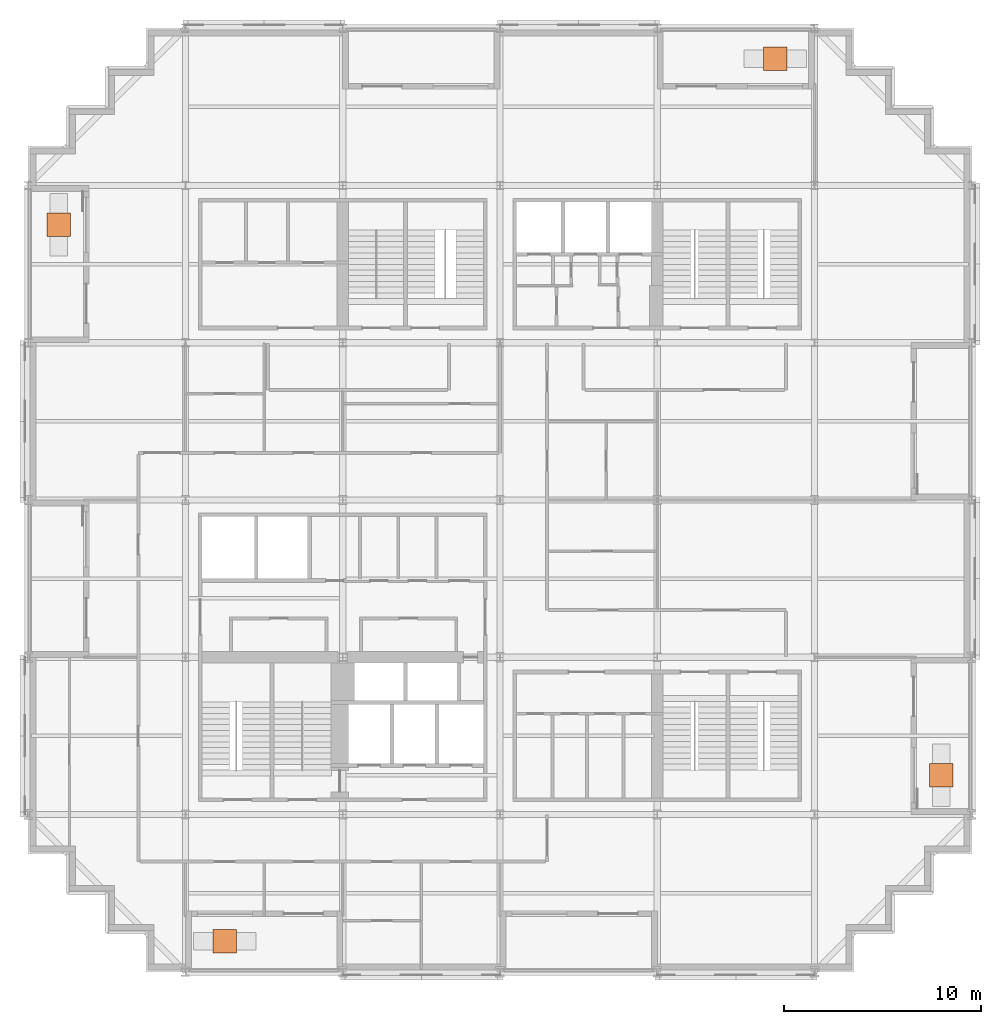
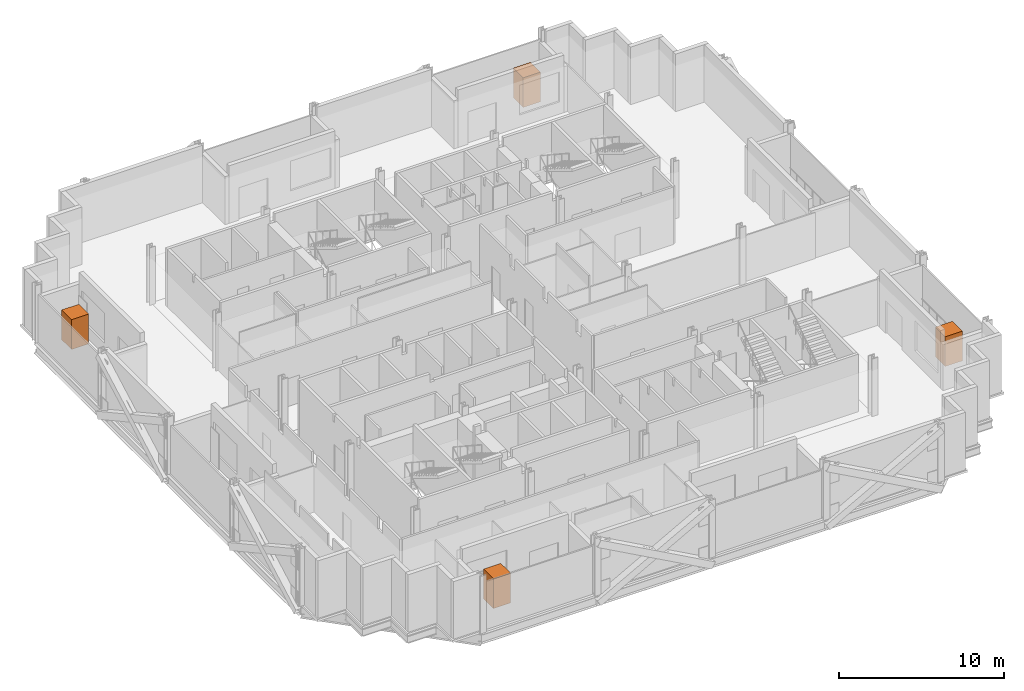
# One storey, part 14 of 14: 4 geographic elements.
"""IFC4 building model written with IfcOpenShell, lengths in metres."""

from ifc_helpers import new_model, si_unit, direction, frame, origin, origin_2d, place, context, subcontext, project, spatial, rectangle, extrude, material, type_object, element, save


model = new_model("IFC4")

# Units and contexts
model_context = context("Model", 3, precision=1e-05, world=origin(), true_north=direction((0.0, 1.0)))
body_context = subcontext(model_context, "Body", "Model", "MODEL_VIEW")
ifc_project = project(units=[si_unit("LENGTHUNIT", "METRE"), si_unit("AREAUNIT", "SQUARE_METRE"), si_unit("VOLUMEUNIT", "CUBIC_METRE"), si_unit("PLANEANGLEUNIT", "RADIAN"), si_unit("MASSUNIT", "GRAM", prefix="KILO")], contexts=[model_context])

# Site, building, storey
site_placement = place(None, origin())
site = spatial("IfcSite", under=ifc_project, at=site_placement, CompositionType="ELEMENT")
building_placement = place(site_placement, origin())
building = spatial("IfcBuilding", under=site, at=building_placement, Name="Immortelle Media Tower", CompositionType="ELEMENT")
storey_placement = place(building_placement, frame((0.0, 0.0, 43.60009765625)))
storey = spatial("IfcBuildingStorey", under=building, at=storey_placement, Name="L06", CompositionType="ELEMENT", Elevation=43.60009765625)

# Geographic elements
ifc_material = material(Name="Tree canopy foliage")
geographic_element_type = type_object("IfcGeographicElementType", Name="Tree", PredefinedType="USERDEFINED", material=ifc_material)
for number, where, z_axis, x_axis, name in (
    (1, (1.550048828125, 38.0, 0.60009765625), (0.0, 0.0, 1.0), (1.0, 0.0, 0.0), "Tree L06 W0"),
    (2, (10.0, 1.550048828125, 0.60009765625), (0.0, 0.0, 1.0), (1.0, 0.0, 0.0), "Tree L06 S0"),
    (3, (46.449951171875, 10.0, 0.60009765625), (0.0, 0.0, 1.0), (1.0, 0.0, 0.0), "Tree L06 E0"),
    (4, (38.0, 46.449951171875, 0.60009765625), (0.0, 0.0, 1.0), (1.0, 0.0, 0.0), "Tree L06 N0"),
):
    element("IfcGeographicElement", number, at=place(storey_placement, frame(where, z_axis=z_axis, x_axis=x_axis)), inside=storey, type_object=geographic_element_type, Name=name, ObjectType="Tree", PredefinedType="USERDEFINED", context=body_context, shape_type="SweptSolid", body=[
        extrude(rectangle(XDim=1.199951171875, YDim=1.199951171875, at=origin_2d()), origin(), (0.0, 0.0, 1.0), 2.199951171875),
    ])

save(model, "model.ifc")
